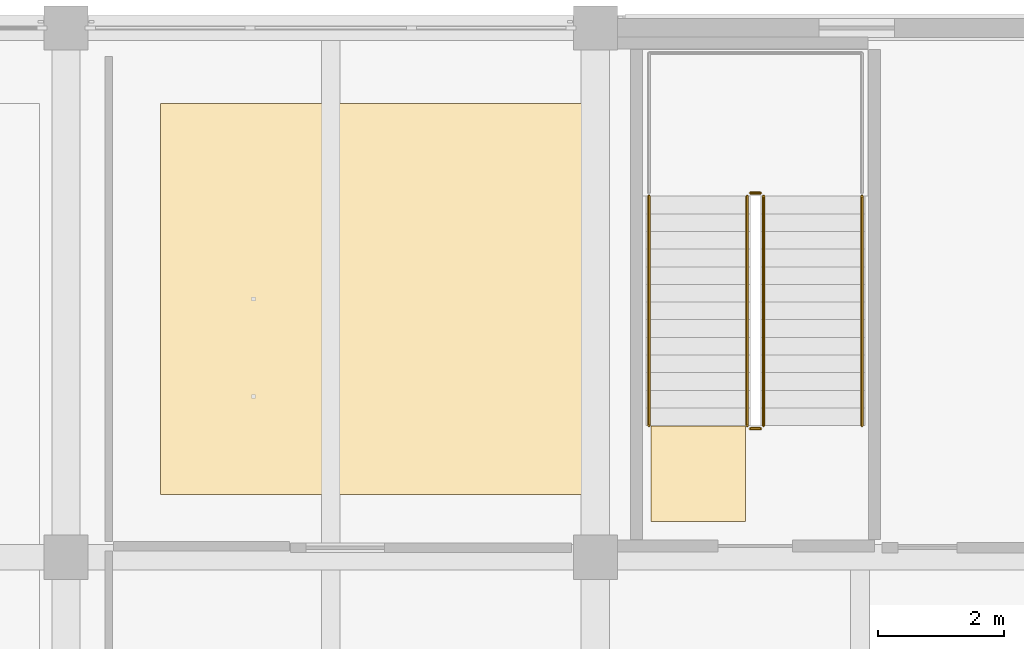
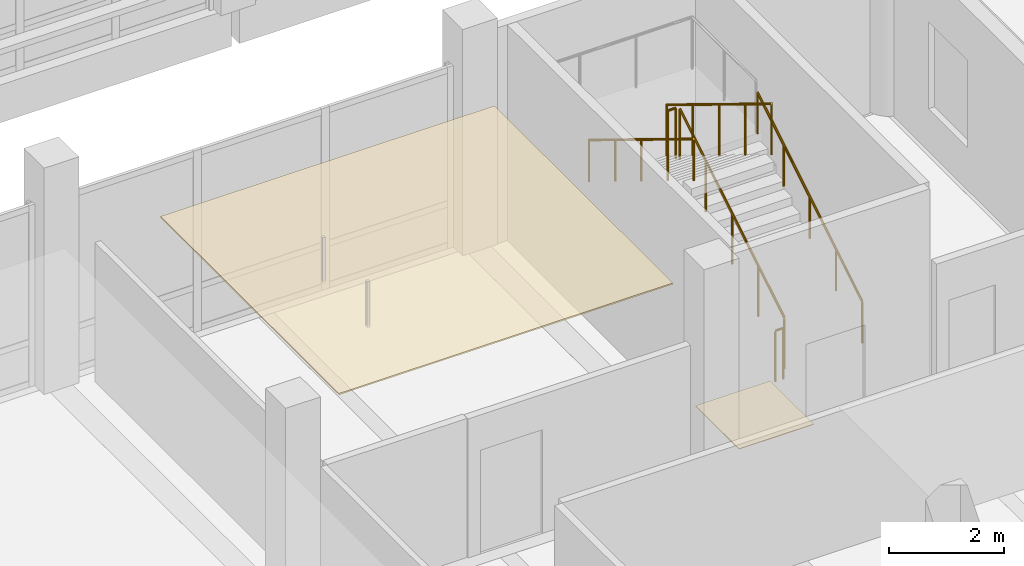
# One storey, part 101 of 128: 6 railings, 2 coverings.
"""IFC4 building model written with IfcOpenShell, lengths in metres."""

from ifc_helpers import new_model, si_unit, direction, frame, origin, origin_2d, place, context, subcontext, project, spatial, polyline, circle, outline, extrude, material, layer, layer_set, type_object, element, save


model = new_model("IFC4")

# Units and contexts
model_context = context("Model", 3, precision=1e-05, world=origin(), true_north=direction((0.0, 1.0)))
body_context = subcontext(model_context, "Body", "Model", "MODEL_VIEW")
ifc_project = project(units=[si_unit("LENGTHUNIT", "METRE"), si_unit("AREAUNIT", "SQUARE_METRE"), si_unit("VOLUMEUNIT", "CUBIC_METRE"), si_unit("PLANEANGLEUNIT", "RADIAN"), si_unit("MASSUNIT", "GRAM", prefix="KILO")], contexts=[model_context])

# Site, building, storey
site_placement = place(None, origin())
site = spatial("IfcSite", under=ifc_project, at=site_placement, CompositionType="ELEMENT")
building_placement = place(site_placement, origin())
building = spatial("IfcBuilding", under=site, at=building_placement, Name="Telukmera Botanical Conservatory", CompositionType="ELEMENT")
storey_placement = place(building_placement, frame((0.0, 0.0, 5.39990234375)))
storey = spatial("IfcBuildingStorey", under=building, at=storey_placement, Name="L01", CompositionType="ELEMENT", Elevation=5.39990234375)

# Coverings
ifc_material_1 = material(Name="Mineral fibre acoustic ceiling")
ifc_layer_1 = layer(ifc_material_1, 0.030029296875)
ifc_layer_set_1 = layer_set([ifc_layer_1], Name="Mineral fibre acoustic ceiling")
covering_type_1 = type_object("IfcCoveringType", Name="COV-CEIL-30", PredefinedType="CEILING", material=ifc_layer_set_1)
covering_1_placement = place(storey_placement, frame((0.0, 0.0, 3.6201171875)))
element("IfcCovering", 1, at=covering_1_placement, inside=storey, type_object=covering_type_1, Name="L01 Education Resource Room Suspended Acoustic Ceiling", PredefinedType="CEILING", context=body_context, shape_type="SweptSolid", body=[
    extrude(outline(polyline([(26.699951171875, 67.39990234375), (33.39990234375, 67.39990234375), (33.39990234375, 73.60009765625), (26.699951171875, 73.60009765625), (26.699951171875, 67.39990234375)])), origin(), (0.0, 0.0, 1.0), 0.030029296875),
])
ifc_material_2 = material(Name="Honed granite non-slip flooring", Category="masonry")
ifc_layer_2 = layer(ifc_material_2, 0.011962890625)
ifc_layer_set_2 = layer_set([ifc_layer_2], Name="Honed granite non-slip flooring")
covering_type_2 = type_object("IfcCoveringType", Name="COV-FLR-12", PredefinedType="FLOORING", material=ifc_layer_set_2)
covering_2_placement = place(storey_placement, origin())
element("IfcCovering", 2, at=covering_2_placement, inside=storey, type_object=covering_type_2, Name="L01 ST4 Non-Slip Stair Landing Finish", PredefinedType="FLOORING", context=body_context, shape_type="SweptSolid", body=[
    extrude(outline(polyline([(35.97998046875, 66.969970703125), (35.97998046875, 68.485107421875), (34.47998046875, 68.485107421875), (34.47998046875, 66.969970703125), (35.97998046875, 66.969970703125)])), origin(), (0.0, 0.0, 1.0), 0.01220703125),
])

# Railings
ifc_material_3 = material(Name="Steel S355", Category="steel")
railing_type_1 = type_object("IfcRailingType", Name="RL-GUARD-1100", PredefinedType="GUARDRAIL", material=ifc_material_3)
railing_1_placement = place(storey_placement, frame((36.27001953125, 68.489990234375, 0.171630859375)))
element("IfcRailing", 3, at=railing_1_placement, inside=storey, type_object=railing_type_1, Name="L01 ST4 stair guard 1", PredefinedType="GUARDRAIL", context=body_context, shape_type="SweptSolid", body=[
    extrude(circle(Radius=0.02392578125, at=origin_2d()), frame((0.0, 0.0, 1.076171875), z_axis=(0.0, 0.852850264322, 0.5221555579), x_axis=(-1.0, 0.0, 0.0)), (0.0, 0.0, 1.0), 4.267822265625),
    extrude(circle(Radius=0.02099609375, at=origin_2d()), origin(), (0.0, 0.0, 1.0), 1.052001953125),
    extrude(circle(Radius=0.02099609375, at=origin_2d()), frame((0.0, 0.909912109375, 0.55712890625)), (0.0, 0.0, 1.0), 1.052001953125),
    extrude(circle(Radius=0.02099609375, at=origin_2d()), frame((0.0, 1.81982421875, 1.1142578125)), (0.0, 0.0, 1.0), 1.052001953125),
    extrude(circle(Radius=0.02099609375, at=origin_2d()), frame((0.0, 2.72998046875, 1.67138671875)), (0.0, 0.0, 1.0), 1.052001953125),
    extrude(circle(Radius=0.02099609375, at=origin_2d()), frame((0.0, 3.639892578125, 2.228515625)), (0.0, 0.0, 1.0), 1.052001953125),
])
railing_2_placement = place(storey_placement, frame((36.219970703125, 72.179931640625, 2.400146484375)))
element("IfcRailing", 4, at=railing_2_placement, inside=storey, type_object=railing_type_1, Name="L01 ST4 stair guard 2", PredefinedType="GUARDRAIL", context=body_context, shape_type="SweptSolid", body=[
    extrude(circle(Radius=0.02392578125, at=origin_2d()), frame((0.0, 0.0, 1.076171875), z_axis=(-1.0, 0.0, 0.0), x_axis=(0.0, -1.0, 0.0)), (0.0, 0.0, 1.0), 0.159912109375),
    extrude(circle(Radius=0.02099609375, at=origin_2d()), origin(), (0.0, 0.0, 1.0), 1.052001953125),
    extrude(circle(Radius=0.02099609375, at=origin_2d()), frame((-0.159912109375, 0.0, 0.0)), (0.0, 0.0, 1.0), 1.052001953125),
])
railing_3_placement = place(storey_placement, frame((36.010009765625, 72.1298828125, 2.571533203125)))
element("IfcRailing", 5, at=railing_3_placement, inside=storey, type_object=railing_type_1, Name="L01 ST4 stair guard 3", PredefinedType="GUARDRAIL", context=body_context, shape_type="SweptSolid", body=[
    extrude(circle(Radius=0.02392578125, at=origin_2d()), frame((0.0, 0.0, 1.076171875), z_axis=(0.0, -0.852850264322, 0.5221555579), x_axis=(1.0, 0.0, 0.0)), (0.0, 0.0, 1.0), 4.267822265625),
    extrude(circle(Radius=0.02099609375, at=origin_2d()), origin(), (0.0, 0.0, 1.0), 1.052001953125),
    extrude(circle(Radius=0.02099609375, at=origin_2d()), frame((0.0, -0.909912109375, 0.55712890625)), (0.0, 0.0, 1.0), 1.052001953125),
    extrude(circle(Radius=0.02099609375, at=origin_2d()), frame((0.0, -1.81982421875, 1.1142578125)), (0.0, 0.0, 1.0), 1.052001953125),
    extrude(circle(Radius=0.02099609375, at=origin_2d()), frame((0.0, -2.72998046875, 1.67138671875)), (0.0, 0.0, 1.0), 1.052001953125),
    extrude(circle(Radius=0.02099609375, at=origin_2d()), frame((0.0, -3.639892578125, 2.228515625)), (0.0, 0.0, 1.0), 1.052001953125),
])
railing_4_placement = place(storey_placement, frame((36.219970703125, 68.43994140625, 0.0)))
element("IfcRailing", 6, at=railing_4_placement, inside=storey, type_object=railing_type_1, Name="L01 ST4 stair guard 4", PredefinedType="GUARDRAIL", context=body_context, shape_type="SweptSolid", body=[
    extrude(circle(Radius=0.02392578125, at=origin_2d()), frame((0.0, 0.0, 1.076171875), z_axis=(-1.0, 0.0, 0.0), x_axis=(0.0, -1.0, 0.0)), (0.0, 0.0, 1.0), 0.159912109375),
    extrude(circle(Radius=0.02099609375, at=origin_2d()), origin(), (0.0, 0.0, 1.0), 1.052001953125),
    extrude(circle(Radius=0.02099609375, at=origin_2d()), frame((-0.159912109375, 0.0, 0.0)), (0.0, 0.0, 1.0), 1.052001953125),
])
ifc_material_4 = material(Name="Stainless steel 316", Category="steel")
railing_type_2 = type_object("IfcRailingType", Name="RL-HAND-900", PredefinedType="HANDRAIL", material=ifc_material_4)
railing_5_placement = place(storey_placement, frame((37.830078125, 68.489990234375, 0.171630859375)))
element("IfcRailing", 7, at=railing_5_placement, inside=storey, type_object=railing_type_2, Name="L01 ST4 stair handrail 1", PredefinedType="HANDRAIL", context=body_context, shape_type="SweptSolid", body=[
    extrude(circle(Radius=0.02392578125, at=origin_2d()), frame((0.0, 0.0, 0.8759765625), z_axis=(0.0, 0.852850264322, 0.5221555579), x_axis=(-1.0, 0.0, 0.0)), (0.0, 0.0, 1.0), 4.267822265625),
    extrude(circle(Radius=0.02099609375, at=origin_2d()), origin(), (0.0, 0.0, 1.0), 0.851806640625),
    extrude(circle(Radius=0.02099609375, at=origin_2d()), frame((0.0, 0.909912109375, 0.55712890625)), (0.0, 0.0, 1.0), 0.851806640625),
    extrude(circle(Radius=0.02099609375, at=origin_2d()), frame((0.0, 1.81982421875, 1.1142578125)), (0.0, 0.0, 1.0), 0.851806640625),
    extrude(circle(Radius=0.02099609375, at=origin_2d()), frame((0.0, 2.72998046875, 1.67138671875)), (0.0, 0.0, 1.0), 0.851806640625),
    extrude(circle(Radius=0.02099609375, at=origin_2d()), frame((0.0, 3.639892578125, 2.228515625)), (0.0, 0.0, 1.0), 0.851806640625),
])
railing_6_placement = place(storey_placement, frame((34.449951171875, 72.1298828125, 2.571533203125)))
element("IfcRailing", 8, at=railing_6_placement, inside=storey, type_object=railing_type_2, Name="L01 ST4 stair handrail 2", PredefinedType="HANDRAIL", context=body_context, shape_type="SweptSolid", body=[
    extrude(circle(Radius=0.02392578125, at=origin_2d()), frame((0.0, 0.0, 0.8759765625), z_axis=(0.0, -0.852850264322, 0.5221555579), x_axis=(1.0, 0.0, 0.0)), (0.0, 0.0, 1.0), 4.267822265625),
    extrude(circle(Radius=0.02099609375, at=origin_2d()), origin(), (0.0, 0.0, 1.0), 0.851806640625),
    extrude(circle(Radius=0.02099609375, at=origin_2d()), frame((0.0, -0.909912109375, 0.55712890625)), (0.0, 0.0, 1.0), 0.851806640625),
    extrude(circle(Radius=0.02099609375, at=origin_2d()), frame((0.0, -1.81982421875, 1.1142578125)), (0.0, 0.0, 1.0), 0.851806640625),
    extrude(circle(Radius=0.02099609375, at=origin_2d()), frame((0.0, -2.72998046875, 1.67138671875)), (0.0, 0.0, 1.0), 0.851806640625),
    extrude(circle(Radius=0.02099609375, at=origin_2d()), frame((0.0, -3.639892578125, 2.228515625)), (0.0, 0.0, 1.0), 0.851806640625),
])

save(model, "model.ifc")
